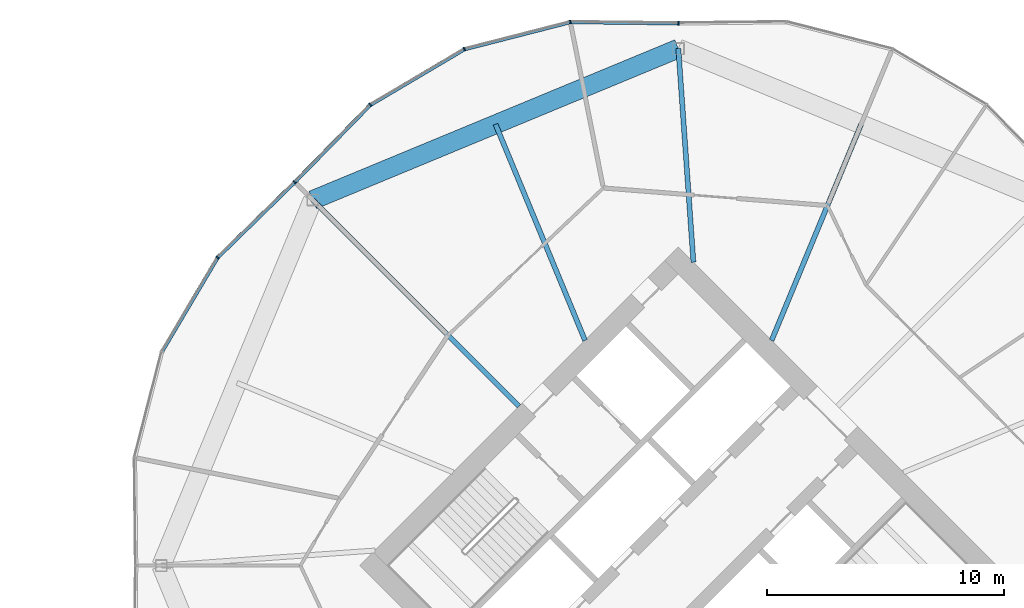
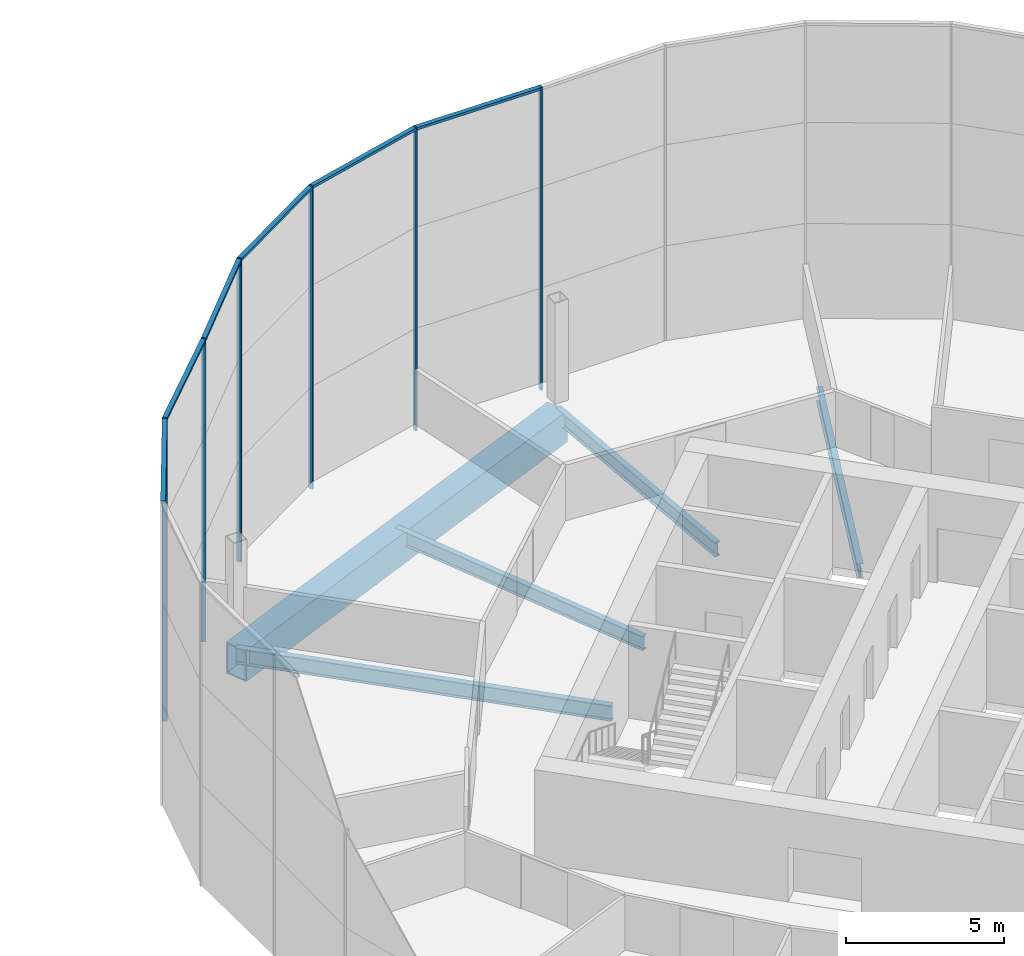
# One storey, part 14 of 25: 12 members, 5 beams, 3 elements without a shape of their own.
"""IFC4 building model written with IfcOpenShell, lengths in metres."""

import ifcopenshell
import ifcopenshell.guid

model = None  # the IFC model being written
_history = None  # IfcOwnerHistory: only IFC2X3 demands one
_inside = {}  # id of a spatial element -> (the spatial element, [elements in it])
_under = {}  # id of a project, library or spatial element -> (it, [spatial elements below it])
_declared = {}  # id of a project -> (the project, [libraries it declares])
_typed = {}  # id of a type object -> (the type object, [elements of that type])
_made_of = {}  # id of a material, layer set ... -> (it, [elements and type objects made of it])


def new_model(schema):
    """Start an empty IFC model of exactly this schema.

    Asked for "IFC4X3", IfcOpenShell would pick the latest addendum, in which some entities
    have other attributes; the version numbers below select the first issue.
    IFC2X3 requires an IfcOwnerHistory on every rooted entity: one is made here for all.
    """
    global model, _history
    if schema == "IFC4X3":
        model = ifcopenshell.file(schema_version=(4, 3, 0, 0))
    else:
        model = ifcopenshell.file(schema=schema)
    _inside.clear()
    _under.clear()
    _declared.clear()
    _typed.clear()
    _made_of.clear()
    _history = None
    if model.schema == "IFC2X3":
        org = make("IfcOrganization", Name="unknown")
        user = make(
            "IfcPersonAndOrganization",
            ThePerson=make("IfcPerson", FamilyName="unknown"),
            TheOrganization=org,
        )
        app = make(
            "IfcApplication",
            ApplicationDeveloper=org,
            Version="unknown",
            ApplicationFullName="unknown",
            ApplicationIdentifier="unknown",
        )
        _history = make(
            "IfcOwnerHistory",
            OwningUser=user,
            OwningApplication=app,
            ChangeAction="ADDED",
            CreationDate=0,
        )
    return model


def make(cls, **values):
    """One entity of the class cls with the attributes given. An attribute that is None is left unset."""
    return model.create_entity(
        cls, **{name: value for name, value in values.items() if value is not None}
    )


def rooted(cls, **values):
    """An entity with a GlobalId (a new one), such as an element, a storey or a relation."""
    return make(cls, GlobalId=ifcopenshell.guid.new(), OwnerHistory=_history, **values)


def si_unit(unit_type, name, prefix=None):
    """IfcSIUnit, for example si_unit("LENGTHUNIT", "METRE", prefix="MILLI")."""
    return make("IfcSIUnit", UnitType=unit_type, Prefix=prefix, Name=name)


def assignment(units):
    """IfcUnitAssignment: the units of a project."""
    return None if units is None else make("IfcUnitAssignment", Units=units)


def point(xyz):
    """IfcCartesianPoint."""
    return None if xyz is None else make("IfcCartesianPoint", Coordinates=xyz)


def direction(xyz):
    """IfcDirection."""
    return None if xyz is None else make("IfcDirection", DirectionRatios=xyz)


def frame(location, z_axis=None, x_axis=None):
    """IfcAxis2Placement3D, a coordinate frame: its origin and axes. An axis left out is left unset."""
    return make(
        "IfcAxis2Placement3D",
        Location=point(location),
        Axis=direction(z_axis),
        RefDirection=direction(x_axis),
    )


def frame_2d(location, x_axis=None):
    """IfcAxis2Placement2D, a coordinate frame in the plane: its origin and x axis."""
    return make(
        "IfcAxis2Placement2D", Location=point(location), RefDirection=direction(x_axis)
    )


def origin():
    """The frame at (0, 0, 0) with its axes left unset."""
    return frame((0.0, 0.0, 0.0))


def origin_2d():
    """The frame at (0, 0) in the plane with its x axis left unset."""
    return frame_2d((0.0, 0.0))


def place(relative_to, where):
    """IfcLocalPlacement: puts the frame where relative to a parent placement (None: the world)."""
    return make(
        "IfcLocalPlacement", PlacementRelTo=relative_to, RelativePlacement=where
    )


def context(
    kind, dimensions, precision=None, world=None, true_north=None, identifier=None
):
    """IfcGeometricRepresentationContext, for example the 3D "Model" context."""
    return make(
        "IfcGeometricRepresentationContext",
        ContextIdentifier=identifier,
        ContextType=kind,
        CoordinateSpaceDimension=dimensions,
        Precision=precision,
        WorldCoordinateSystem=world,
        TrueNorth=true_north,
    )


def subcontext(parent, identifier, kind, view, scale=None):
    """IfcGeometricRepresentationSubContext, for example "Body" below "Model"."""
    return make(
        "IfcGeometricRepresentationSubContext",
        ContextIdentifier=identifier,
        ContextType=kind,
        ParentContext=parent,
        TargetScale=scale,
        TargetView=view,
    )


def project(units=None, contexts=None):
    """IfcProject with its units and contexts."""
    return rooted(
        "IfcProject",
        Name="project",
        RepresentationContexts=contexts,
        UnitsInContext=assignment(units),
    )


def spatial(cls, under=None, at=None, **own):
    """A site, building, storey or space (cls), placed at a placement, below another one or the project."""
    s = rooted(cls, ObjectPlacement=at, **own)
    if under is not None:
        _under.setdefault(under.id(), (under, []))[1].append(s)
    return s


def profile(cls, at=None, kind="AREA", **sizes):
    """A parametric profile (cls). Its sizes go by their IFC names, for example OverallWidth=200.0."""
    return make(cls, ProfileType=kind, Position=at, **sizes)


def rectangle(**sizes):
    """IfcRectangleProfileDef."""
    return profile("IfcRectangleProfileDef", **sizes)


def hollow_rectangle(**sizes):
    """IfcRectangleHollowProfileDef."""
    return profile("IfcRectangleHollowProfileDef", **sizes)


def i_section(**sizes):
    """IfcIShapeProfileDef."""
    return profile("IfcIShapeProfileDef", **sizes)


def extrude(swept, where, along, depth):
    """IfcExtrudedAreaSolid: the profile swept, set in the frame where, extruded along a direction by depth."""
    return make(
        "IfcExtrudedAreaSolid",
        SweptArea=swept,
        Position=where,
        ExtrudedDirection=direction(along),
        Depth=depth,
    )


def shape(context_of_items, identifier, shape_type, items):
    """IfcShapeRepresentation: the items that make up one representation, for example the "Body"."""
    return make(
        "IfcShapeRepresentation",
        ContextOfItems=context_of_items,
        RepresentationIdentifier=identifier,
        RepresentationType=shape_type,
        Items=items,
    )


def material(Name=None, Category=None):
    """IfcMaterial."""
    return make("IfcMaterial", Name=Name, Category=Category)


def material_profile(
    of_material, cross_section, Name=None, Category=None, Priority=None
):
    """IfcMaterialProfile: a cross section and its material."""
    return make(
        "IfcMaterialProfile",
        Name=Name,
        Material=of_material,
        Profile=cross_section,
        Priority=Priority,
        Category=Category,
    )


def profile_set(profiles, Name=None, composite=None):
    """IfcMaterialProfileSet."""
    return make(
        "IfcMaterialProfileSet",
        Name=Name,
        MaterialProfiles=profiles,
        CompositeProfile=composite,
    )


def made_of(thing, what):
    """Note that an element or type object is made of a material, layer set ...; save() writes the relation."""
    if what is not None:
        _made_of.setdefault(what.id(), (what, []))[1].append(thing)
    return thing


def type_object(cls, material=None, **own):
    """A type object (cls), such as IfcWallType, which elements share."""
    return made_of(rooted(cls, **own), material)


def element(
    cls,
    number,
    at=None,
    inside=None,
    cuts=None,
    type_object=None,
    material=None,
    context=None,
    identifier="Body",
    shape_type=None,
    held_by="IfcProductDefinitionShape",
    body=None,
    shapes=None,
    **own,
):
    """One element of the class cls, such as IfcWall. Its Tag is "e" and its number.

    at: its placement. inside: the storey or other place that contains it. cuts: it is an
    opening in that element (IfcRelVoidsElement). A single representation is given by context,
    identifier, shape_type and body (its items); several are given by shapes. held_by: the class
    of the entity that holds the representations. save() writes the other relations.
    """
    e = rooted(cls, Tag="e%d" % number, ObjectPlacement=at, **own)
    if body is not None:
        shapes = [shape(context, identifier, shape_type, body)]
    if shapes is not None:
        e.Representation = make(held_by, Representations=shapes)
    if inside is not None:
        _inside.setdefault(inside.id(), (inside, []))[1].append(e)
    if cuts is not None:
        rooted(
            "IfcRelVoidsElement", RelatingBuildingElement=cuts, RelatedOpeningElement=e
        )
    if type_object is not None:
        _typed.setdefault(type_object.id(), (type_object, []))[1].append(e)
    return made_of(e, material)


def aggregate(whole, parts):
    """IfcRelAggregates: a whole, such as a stair, and the parts it consists of."""
    return rooted("IfcRelAggregates", RelatingObject=whole, RelatedObjects=parts)


def save(model, path):
    """Write the relations noted so far, then the file.

    IfcRelAggregates (storeys below a building ...), IfcRelContainedInSpatialStructure (elements
    in a storey), IfcRelDefinesByType, IfcRelAssociatesMaterial and IfcRelDeclares: one each for
    every whole, place, type object, material and project.
    """
    for whole, parts in _under.values():
        aggregate(whole, parts)
    for where, things in _inside.values():
        rooted(
            "IfcRelContainedInSpatialStructure",
            RelatedElements=things,
            RelatingStructure=where,
        )
    for kind, things in _typed.values():
        rooted("IfcRelDefinesByType", RelatedObjects=things, RelatingType=kind)
    for what, things in _made_of.values():
        rooted("IfcRelAssociatesMaterial", RelatedObjects=things, RelatingMaterial=what)
    for by, libraries in _declared.values():
        rooted("IfcRelDeclares", RelatingContext=by, RelatedDefinitions=libraries)
    model.write(path)


model = new_model("IFC4")

# Units and contexts
model_context = context("Model", 3, precision=1e-05, world=origin(), true_north=direction((0.0, 1.0)))
body_context = subcontext(model_context, "Body", "Model", "MODEL_VIEW")
ifc_project = project(units=[si_unit("LENGTHUNIT", "METRE"), si_unit("AREAUNIT", "SQUARE_METRE"), si_unit("VOLUMEUNIT", "CUBIC_METRE"), si_unit("PLANEANGLEUNIT", "RADIAN"), si_unit("MASSUNIT", "GRAM", prefix="KILO")], contexts=[model_context])

# Site, building, storey
site_placement = place(None, origin())
site = spatial("IfcSite", under=ifc_project, at=site_placement, CompositionType="ELEMENT")
building_placement = place(site_placement, origin())
building = spatial("IfcBuilding", under=site, at=building_placement, Name="Ogive Gate Towers", CompositionType="ELEMENT")
storey_placement = place(building_placement, frame((0.0, 0.0, 44.10009765625)))
storey = spatial("IfcBuildingStorey", under=building, at=storey_placement, Name="L09", CompositionType="ELEMENT", Elevation=44.10009765625)

# Beams
ifc_material_1 = material(Name="Steel SM460", Category="steel")
ifc_material_profile_1 = material_profile(ifc_material_1, hollow_rectangle(XDim=0.800048828125, YDim=1.199951171875, WallThickness=0.050048828125, at=origin_2d()), Name="BX 1200x800x50")
ifc_profile_set_1 = profile_set([ifc_material_profile_1], Name="Steel SM460")
beam_type_1 = type_object("IfcBeamType", Name="Edge girder BX 1200x800x50", PredefinedType="BEAM", material=ifc_profile_set_1)
beam_1_placement = place(storey_placement, frame((36.0, 21.81005859375, -0.900146484375), z_axis=(-0.923881893128, -0.382677733282, 0.0), x_axis=(0.382677733282, -0.923881893128, 0.0)))
element("IfcBeam", 1, at=beam_1_placement, inside=storey, type_object=beam_type_1, Name="T2/L09/SBM022", PredefinedType="BEAM", context=body_context, shape_type="SweptSolid", body=[
    extrude(hollow_rectangle(XDim=0.800048828125, YDim=1.199951171875, WallThickness=0.050048828125, at=origin_2d()), origin(), (0.0, 0.0, 1.0), 16.692626953125),
])
ifc_material_2 = material(Name="Steel SM355", Category="steel")
ifc_material_profile_2 = material_profile(ifc_material_2, i_section(OverallWidth=0.2099609375, OverallDepth=0.550048828125, WebThickness=0.010986328125, FlangeThickness=0.01708984375, FilletRadius=0.02392578125, at=origin_2d()), Name="IPE 550")
ifc_profile_set_2 = profile_set([ifc_material_profile_2], Name="Steel SM355")
beam_type_2 = type_object("IfcBeamType", Name="Radial floor beam IPE 550", PredefinedType="BEAM", material=ifc_profile_set_2)
beam_2_placement = place(storey_placement, frame((39.93505859375, 9.5, -0.5751953125), z_axis=(0.38267666976, 0.923882333645, 0.0), x_axis=(-0.923882333645, 0.38267666976, 0.0)))
element("IfcBeam", 2, at=beam_2_placement, inside=storey, type_object=beam_type_2, Name="T2/L09/SBM010", PredefinedType="BEAM", context=body_context, shape_type="SweptSolid", body=[
    extrude(i_section(OverallWidth=0.2099609375, OverallDepth=0.550048828125, WebThickness=0.010986328125, FlangeThickness=0.01708984375, FilletRadius=0.02392578125, at=origin_2d()), origin(), (0.0, 0.0, 1.0), 9.866943359375),
])
beam_3_placement = place(storey_placement, frame((36.636474609375, 12.798583984375, -0.5751953125), z_axis=(-0.070453840617, 0.99751504066, 0.0), x_axis=(-0.99751504066, -0.070453840617, 0.0)))
element("IfcBeam", 3, at=beam_3_placement, inside=storey, type_object=beam_type_2, Name="T2/L09/SBM011", PredefinedType="BEAM", context=body_context, shape_type="SweptSolid", body=[
    extrude(i_section(OverallWidth=0.2099609375, OverallDepth=0.550048828125, WebThickness=0.010986328125, FlangeThickness=0.01708984375, FilletRadius=0.02392578125, at=origin_2d()), origin(), (0.0, 0.0, 1.0), 9.033935546875),
])
beam_4_placement = place(storey_placement, frame((32.06494140625, 9.5, -0.5751953125), z_axis=(-0.38267666976, 0.923882333645, 0.0), x_axis=(-0.923882333645, -0.38267666976, 0.0)))
element("IfcBeam", 4, at=beam_4_placement, inside=storey, type_object=beam_type_2, Name="T2/L09/SBM012", PredefinedType="BEAM", context=body_context, shape_type="SweptSolid", body=[
    extrude(i_section(OverallWidth=0.2099609375, OverallDepth=0.550048828125, WebThickness=0.010986328125, FlangeThickness=0.01708984375, FilletRadius=0.02392578125, at=origin_2d()), origin(), (0.0, 0.0, 1.0), 9.866943359375),
])
ifc_material_profile_3 = material_profile(ifc_material_2, i_section(OverallWidth=0.219970703125, OverallDepth=0.60009765625, WebThickness=0.011962890625, FlangeThickness=0.01904296875, FilletRadius=0.02392578125, at=origin_2d()), Name="IPE 600")
ifc_profile_set_3 = profile_set([ifc_material_profile_3], Name="Steel SM355")
beam_type_3 = type_object("IfcBeamType", Name="Radial floor beam IPE 600", PredefinedType="BEAM", material=ifc_profile_set_3)
beam_5_placement = place(storey_placement, frame((29.282470703125, 6.717529296875, -0.60009765625), z_axis=(-0.707106781187, 0.707106781187, 0.0), x_axis=(-0.707106781187, -0.707106781187, 0.0)))
element("IfcBeam", 5, at=beam_5_placement, inside=storey, type_object=beam_type_3, Name="T2/L09/SBM013", PredefinedType="BEAM", context=body_context, shape_type="SweptSolid", body=[
    extrude(i_section(OverallWidth=0.219970703125, OverallDepth=0.60009765625, WebThickness=0.011962890625, FlangeThickness=0.01904296875, FilletRadius=0.02392578125, at=origin_2d()), origin(), (0.0, 0.0, 1.0), 12.31005859375),
])

# Curtain wall, member
ifc_material_3 = material(Name="Pale metal aluminium", Category="aluminium")
curtain_wall_type = type_object("IfcCurtainWallType", Name="Tower unitised wall, low zone", PredefinedType="NOTDEFINED", material=ifc_material_3)
curtain_wall_1_placement = place(storey_placement, origin())
curtain_wall_1 = element("IfcCurtainWall", 6, at=curtain_wall_1_placement, inside=storey, type_object=curtain_wall_type, Name="CW1 T2 ECW02", PredefinedType="NOTDEFINED")
ifc_material_profile_4 = material_profile(ifc_material_3, rectangle(XDim=0.159912109375, YDim=0.06005859375, at=origin_2d()), Name="60 x 160 aluminium box")
ifc_profile_set_4 = profile_set([ifc_material_profile_4], Name="Pale metal aluminium")
member_type_1 = type_object("IfcMemberType", Name="Tower unitised wall, low zone mullion 60 x 160", PredefinedType="MULLION", material=ifc_profile_set_4)
member_1_placement = place(storey_placement, frame((36.000244140625, 22.8798828125, -0.300048828125), z_axis=(0.0, 0.0, 1.0), x_axis=(-0.011501466179, 0.99993385595, 0.0)))
member_1 = element("IfcMember", 7, at=member_1_placement, type_object=member_type_1, Name="CW1 mullion", PredefinedType="MULLION", context=body_context, shape_type="SweptSolid", body=[
    extrude(rectangle(XDim=0.159912109375, YDim=0.06005859375, at=origin_2d()), origin(), (0.0, 0.0, 1.0), 11.699951171875),
])
aggregate(curtain_wall_1, [member_1])

# Curtain wall, members
curtain_wall_2_placement = place(storey_placement, origin())
curtain_wall_2 = element("IfcCurtainWall", 8, at=curtain_wall_2_placement, inside=storey, type_object=curtain_wall_type, Name="CW1 T2 ECW03", PredefinedType="NOTDEFINED")
member_2_placement = place(storey_placement, frame((31.444580078125, 22.9326171875, -0.300048828125), z_axis=(0.0, 0.0, 1.0), x_axis=(-0.119547703651, 0.992828457767, 0.0)))
member_2 = element("IfcMember", 9, at=member_2_placement, type_object=member_type_1, Name="CW1 mullion", PredefinedType="MULLION", context=body_context, shape_type="SweptSolid", body=[
    extrude(rectangle(XDim=0.159912109375, YDim=0.06005859375, at=origin_2d()), origin(), (0.0, 0.0, 1.0), 11.699951171875),
])
member_3_placement = place(storey_placement, frame((26.97607421875, 21.785888671875, -0.300048828125), z_axis=(0.0, 0.0, 1.0), x_axis=(-0.382683432365, 0.923879532511, 0.0)))
member_3 = element("IfcMember", 10, at=member_3_placement, type_object=member_type_1, Name="CW1 mullion", PredefinedType="MULLION", context=body_context, shape_type="SweptSolid", body=[
    extrude(rectangle(XDim=0.159912109375, YDim=0.06005859375, at=origin_2d()), origin(), (0.0, 0.0, 1.0), 11.699951171875),
])
member_4_placement = place(storey_placement, frame((23.00537109375, 19.43701171875, -0.300048828125), z_axis=(0.0, 0.0, 1.0), x_axis=(-0.617516471235, 0.786557949393, 0.0)))
member_4 = element("IfcMember", 11, at=member_4_placement, type_object=member_type_1, Name="CW1 mullion", PredefinedType="MULLION", context=body_context, shape_type="SweptSolid", body=[
    extrude(rectangle(XDim=0.159912109375, YDim=0.06005859375, at=origin_2d()), origin(), (0.0, 0.0, 1.0), 11.699951171875),
])
member_5_placement = place(storey_placement, frame((19.821533203125, 16.1787109375, -0.300048828125), z_axis=(0.0, 0.0, 1.0), x_axis=(-0.715204973482, 0.698914762976, 0.0)))
member_5 = element("IfcMember", 12, at=member_5_placement, type_object=member_type_1, Name="CW1 mullion", PredefinedType="MULLION", context=body_context, shape_type="SweptSolid", body=[
    extrude(rectangle(XDim=0.159912109375, YDim=0.06005859375, at=origin_2d()), origin(), (0.0, 0.0, 1.0), 11.699951171875),
])

# Curtain wall, member
curtain_wall_3_placement = place(storey_placement, origin())
curtain_wall_3 = element("IfcCurtainWall", 13, at=curtain_wall_3_placement, inside=storey, type_object=curtain_wall_type, Name="CW1 T2 ECW04", PredefinedType="NOTDEFINED")
member_6_placement = place(storey_placement, frame((16.56298828125, 12.99462890625, -0.300048828125), z_axis=(0.0, 0.0, 1.0), x_axis=(-0.786557949393, 0.617516471235, 0.0)))
member_6 = element("IfcMember", 14, at=member_6_placement, type_object=member_type_1, Name="CW1 mullion", PredefinedType="MULLION", context=body_context, shape_type="SweptSolid", body=[
    extrude(rectangle(XDim=0.159912109375, YDim=0.06005859375, at=origin_2d()), origin(), (0.0, 0.0, 1.0), 11.699951171875),
])

# Member
ifc_material_profile_5 = material_profile(ifc_material_3, rectangle(XDim=0.159912109375, YDim=0.10009765625, at=origin_2d()), Name="100 x 160 aluminium box")
ifc_profile_set_5 = profile_set([ifc_material_profile_5], Name="Pale metal aluminium")
member_type_2 = type_object("IfcMemberType", Name="Tower unitised wall, low zone transom 100 x 160", PredefinedType="USERDEFINED", material=ifc_profile_set_5)
member_7_placement = place(storey_placement, frame((35.9697265625, 22.88037109375, 11.349853515625), z_axis=(-0.999933789779, 0.011507217644, 0.0), x_axis=(-0.011507217644, -0.999933789779, 0.0)))
member_7 = element("IfcMember", 15, at=member_7_placement, type_object=member_type_2, Name="CW1 transom", ObjectType="TRANSOM", PredefinedType="USERDEFINED", context=body_context, shape_type="SweptSolid", body=[
    extrude(rectangle(XDim=0.159912109375, YDim=0.10009765625, at=origin_2d()), origin(), (0.0, 0.0, 1.0), 4.497802734375),
])

member_8_placement = place(storey_placement, frame((31.418212890625, 22.925537109375, 11.349853515625), z_axis=(-0.968624541573, -0.248528665272, 0.0), x_axis=(0.248528665272, -0.968624541573, 0.0)))
member_8 = element("IfcMember", 16, at=member_8_placement, type_object=member_type_2, Name="CW1 transom", ObjectType="TRANSOM", PredefinedType="USERDEFINED", context=body_context, shape_type="SweptSolid", body=[
    extrude(rectangle(XDim=0.159912109375, YDim=0.10009765625, at=origin_2d()), origin(), (0.0, 0.0, 1.0), 4.55908203125),
])

member_9_placement = place(storey_placement, frame((26.95263671875, 21.77197265625, 11.349853515625), z_axis=(-0.860670555769, -0.509162247651, 0.0), x_axis=(0.509162247651, -0.860670555769, 0.0)))
member_9 = element("IfcMember", 17, at=member_9_placement, type_object=member_type_2, Name="CW1 transom", ObjectType="TRANSOM", PredefinedType="USERDEFINED", context=body_context, shape_type="SweptSolid", body=[
    extrude(rectangle(XDim=0.159912109375, YDim=0.10009765625, at=origin_2d()), origin(), (0.0, 0.0, 1.0), 4.55908203125),
])

member_10_placement = place(storey_placement, frame((22.986083984375, 19.417236328125, 11.349853515625), z_axis=(-0.698890670971, -0.715228515951, 0.0), x_axis=(0.715228515951, -0.698890670971, 0.0)))
member_10 = element("IfcMember", 18, at=member_10_placement, type_object=member_type_2, Name="CW1 transom", ObjectType="TRANSOM", PredefinedType="USERDEFINED", context=body_context, shape_type="SweptSolid", body=[
    extrude(rectangle(XDim=0.159912109375, YDim=0.10009765625, at=origin_2d()), origin(), (0.0, 0.0, 1.0), 4.497802734375),
])

aggregate(curtain_wall_2, [member_2, member_7, member_3, member_8, member_4, member_9, member_5, member_10])

member_11_placement = place(storey_placement, frame((19.7998046875, 16.157470703125, 11.349853515625), z_axis=(-0.715228515951, -0.698890670971, 0.0), x_axis=(0.698890670971, -0.715228515951, 0.0)))
member_11 = element("IfcMember", 19, at=member_11_placement, type_object=member_type_2, Name="CW1 transom", ObjectType="TRANSOM", PredefinedType="USERDEFINED", context=body_context, shape_type="SweptSolid", body=[
    extrude(rectangle(XDim=0.159912109375, YDim=0.10009765625, at=origin_2d()), origin(), (0.0, 0.0, 1.0), 4.497802734375),
])

member_12_placement = place(storey_placement, frame((16.54931640625, 12.97119140625, 11.349853515625), z_axis=(-0.509162247651, -0.860670555769, 0.0), x_axis=(0.860670555769, -0.509162247651, 0.0)))
member_12 = element("IfcMember", 20, at=member_12_placement, type_object=member_type_2, Name="CW1 transom", ObjectType="TRANSOM", PredefinedType="USERDEFINED", context=body_context, shape_type="SweptSolid", body=[
    extrude(rectangle(XDim=0.159912109375, YDim=0.10009765625, at=origin_2d()), origin(), (0.0, 0.0, 1.0), 4.55908203125),
])

aggregate(curtain_wall_3, [member_6, member_11, member_12])

save(model, "model.ifc")
